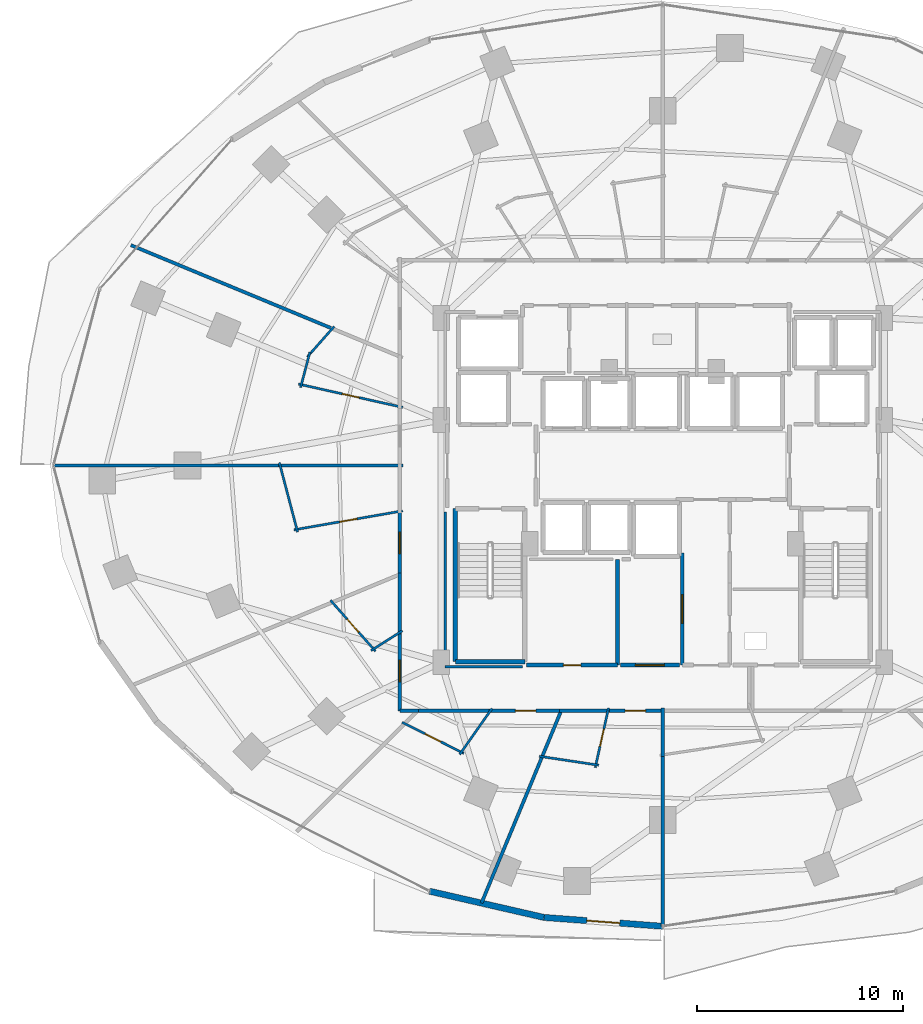
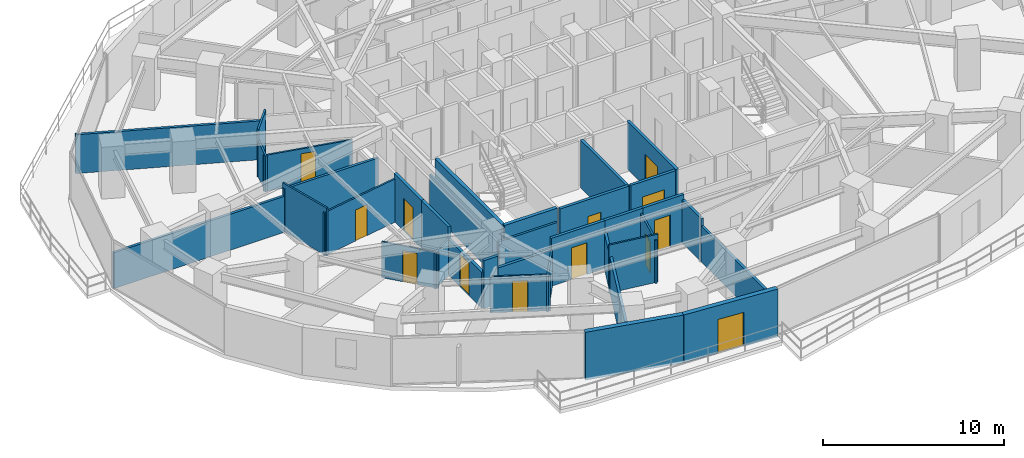
# One storey, part 27 of 36: 35 walls, 13 doors, 13 openings.
"""IFC4 building model written with IfcOpenShell, lengths in metres."""

import ifcopenshell
import ifcopenshell.guid

model = None  # the IFC model being written
_history = None  # IfcOwnerHistory: only IFC2X3 demands one
_inside = {}  # id of a spatial element -> (the spatial element, [elements in it])
_under = {}  # id of a project, library or spatial element -> (it, [spatial elements below it])
_declared = {}  # id of a project -> (the project, [libraries it declares])
_typed = {}  # id of a type object -> (the type object, [elements of that type])
_made_of = {}  # id of a material, layer set ... -> (it, [elements and type objects made of it])


def new_model(schema):
    """Start an empty IFC model of exactly this schema.

    Asked for "IFC4X3", IfcOpenShell would pick the latest addendum, in which some entities
    have other attributes; the version numbers below select the first issue.
    IFC2X3 requires an IfcOwnerHistory on every rooted entity: one is made here for all.
    """
    global model, _history
    if schema == "IFC4X3":
        model = ifcopenshell.file(schema_version=(4, 3, 0, 0))
    else:
        model = ifcopenshell.file(schema=schema)
    _inside.clear()
    _under.clear()
    _declared.clear()
    _typed.clear()
    _made_of.clear()
    _history = None
    if model.schema == "IFC2X3":
        org = make("IfcOrganization", Name="unknown")
        user = make(
            "IfcPersonAndOrganization",
            ThePerson=make("IfcPerson", FamilyName="unknown"),
            TheOrganization=org,
        )
        app = make(
            "IfcApplication",
            ApplicationDeveloper=org,
            Version="unknown",
            ApplicationFullName="unknown",
            ApplicationIdentifier="unknown",
        )
        _history = make(
            "IfcOwnerHistory",
            OwningUser=user,
            OwningApplication=app,
            ChangeAction="ADDED",
            CreationDate=0,
        )
    return model


def make(cls, **values):
    """One entity of the class cls with the attributes given. An attribute that is None is left unset."""
    return model.create_entity(
        cls, **{name: value for name, value in values.items() if value is not None}
    )


def rooted(cls, **values):
    """An entity with a GlobalId (a new one), such as an element, a storey or a relation."""
    return make(cls, GlobalId=ifcopenshell.guid.new(), OwnerHistory=_history, **values)


def si_unit(unit_type, name, prefix=None):
    """IfcSIUnit, for example si_unit("LENGTHUNIT", "METRE", prefix="MILLI")."""
    return make("IfcSIUnit", UnitType=unit_type, Prefix=prefix, Name=name)


def assignment(units):
    """IfcUnitAssignment: the units of a project."""
    return None if units is None else make("IfcUnitAssignment", Units=units)


def point(xyz):
    """IfcCartesianPoint."""
    return None if xyz is None else make("IfcCartesianPoint", Coordinates=xyz)


def direction(xyz):
    """IfcDirection."""
    return None if xyz is None else make("IfcDirection", DirectionRatios=xyz)


def frame(location, z_axis=None, x_axis=None):
    """IfcAxis2Placement3D, a coordinate frame: its origin and axes. An axis left out is left unset."""
    return make(
        "IfcAxis2Placement3D",
        Location=point(location),
        Axis=direction(z_axis),
        RefDirection=direction(x_axis),
    )


def frame_2d(location, x_axis=None):
    """IfcAxis2Placement2D, a coordinate frame in the plane: its origin and x axis."""
    return make(
        "IfcAxis2Placement2D", Location=point(location), RefDirection=direction(x_axis)
    )


def origin():
    """The frame at (0, 0, 0) with its axes left unset."""
    return frame((0.0, 0.0, 0.0))


def place(relative_to, where):
    """IfcLocalPlacement: puts the frame where relative to a parent placement (None: the world)."""
    return make(
        "IfcLocalPlacement", PlacementRelTo=relative_to, RelativePlacement=where
    )


def context(
    kind, dimensions, precision=None, world=None, true_north=None, identifier=None
):
    """IfcGeometricRepresentationContext, for example the 3D "Model" context."""
    return make(
        "IfcGeometricRepresentationContext",
        ContextIdentifier=identifier,
        ContextType=kind,
        CoordinateSpaceDimension=dimensions,
        Precision=precision,
        WorldCoordinateSystem=world,
        TrueNorth=true_north,
    )


def subcontext(parent, identifier, kind, view, scale=None):
    """IfcGeometricRepresentationSubContext, for example "Body" below "Model"."""
    return make(
        "IfcGeometricRepresentationSubContext",
        ContextIdentifier=identifier,
        ContextType=kind,
        ParentContext=parent,
        TargetScale=scale,
        TargetView=view,
    )


def project(units=None, contexts=None):
    """IfcProject with its units and contexts."""
    return rooted(
        "IfcProject",
        Name="project",
        RepresentationContexts=contexts,
        UnitsInContext=assignment(units),
    )


def spatial(cls, under=None, at=None, **own):
    """A site, building, storey or space (cls), placed at a placement, below another one or the project."""
    s = rooted(cls, ObjectPlacement=at, **own)
    if under is not None:
        _under.setdefault(under.id(), (under, []))[1].append(s)
    return s


def profile(cls, at=None, kind="AREA", **sizes):
    """A parametric profile (cls). Its sizes go by their IFC names, for example OverallWidth=200.0."""
    return make(cls, ProfileType=kind, Position=at, **sizes)


def rectangle(**sizes):
    """IfcRectangleProfileDef."""
    return profile("IfcRectangleProfileDef", **sizes)


def extrude(swept, where, along, depth):
    """IfcExtrudedAreaSolid: the profile swept, set in the frame where, extruded along a direction by depth."""
    return make(
        "IfcExtrudedAreaSolid",
        SweptArea=swept,
        Position=where,
        ExtrudedDirection=direction(along),
        Depth=depth,
    )


def shape(context_of_items, identifier, shape_type, items):
    """IfcShapeRepresentation: the items that make up one representation, for example the "Body"."""
    return make(
        "IfcShapeRepresentation",
        ContextOfItems=context_of_items,
        RepresentationIdentifier=identifier,
        RepresentationType=shape_type,
        Items=items,
    )


def material(Name=None, Category=None):
    """IfcMaterial."""
    return make("IfcMaterial", Name=Name, Category=Category)


def layer(
    of_material, thickness, ventilated=None, Name=None, Category=None, Priority=None
):
    """IfcMaterialLayer: one layer of a wall or slab, of a material (None: an air gap)."""
    return make(
        "IfcMaterialLayer",
        Material=of_material,
        LayerThickness=thickness,
        IsVentilated=ventilated,
        Name=Name,
        Category=Category,
        Priority=Priority,
    )


def layer_set(layers, Name=None):
    """IfcMaterialLayerSet."""
    return make("IfcMaterialLayerSet", MaterialLayers=layers, LayerSetName=Name)


def made_of(thing, what):
    """Note that an element or type object is made of a material, layer set ...; save() writes the relation."""
    if what is not None:
        _made_of.setdefault(what.id(), (what, []))[1].append(thing)
    return thing


def type_object(cls, material=None, **own):
    """A type object (cls), such as IfcWallType, which elements share."""
    return made_of(rooted(cls, **own), material)


def element(
    cls,
    number,
    at=None,
    inside=None,
    cuts=None,
    type_object=None,
    material=None,
    context=None,
    identifier="Body",
    shape_type=None,
    held_by="IfcProductDefinitionShape",
    body=None,
    shapes=None,
    **own,
):
    """One element of the class cls, such as IfcWall. Its Tag is "e" and its number.

    at: its placement. inside: the storey or other place that contains it. cuts: it is an
    opening in that element (IfcRelVoidsElement). A single representation is given by context,
    identifier, shape_type and body (its items); several are given by shapes. held_by: the class
    of the entity that holds the representations. save() writes the other relations.
    """
    e = rooted(cls, Tag="e%d" % number, ObjectPlacement=at, **own)
    if body is not None:
        shapes = [shape(context, identifier, shape_type, body)]
    if shapes is not None:
        e.Representation = make(held_by, Representations=shapes)
    if inside is not None:
        _inside.setdefault(inside.id(), (inside, []))[1].append(e)
    if cuts is not None:
        rooted(
            "IfcRelVoidsElement", RelatingBuildingElement=cuts, RelatedOpeningElement=e
        )
    if type_object is not None:
        _typed.setdefault(type_object.id(), (type_object, []))[1].append(e)
    return made_of(e, material)


def fill(opening, filler):
    """IfcRelFillsElement: the door or window that sits in an opening."""
    return rooted(
        "IfcRelFillsElement",
        RelatingOpeningElement=opening,
        RelatedBuildingElement=filler,
    )


def aggregate(whole, parts):
    """IfcRelAggregates: a whole, such as a stair, and the parts it consists of."""
    return rooted("IfcRelAggregates", RelatingObject=whole, RelatedObjects=parts)


def save(model, path):
    """Write the relations noted so far, then the file.

    IfcRelAggregates (storeys below a building ...), IfcRelContainedInSpatialStructure (elements
    in a storey), IfcRelDefinesByType, IfcRelAssociatesMaterial and IfcRelDeclares: one each for
    every whole, place, type object, material and project.
    """
    for whole, parts in _under.values():
        aggregate(whole, parts)
    for where, things in _inside.values():
        rooted(
            "IfcRelContainedInSpatialStructure",
            RelatedElements=things,
            RelatingStructure=where,
        )
    for kind, things in _typed.values():
        rooted("IfcRelDefinesByType", RelatedObjects=things, RelatingType=kind)
    for what, things in _made_of.values():
        rooted("IfcRelAssociatesMaterial", RelatedObjects=things, RelatingMaterial=what)
    for by, libraries in _declared.values():
        rooted("IfcRelDeclares", RelatingContext=by, RelatedDefinitions=libraries)
    model.write(path)


model = new_model("IFC4")

# Units and contexts
model_context = context("Model", 3, precision=1e-05, world=origin(), true_north=direction((0.0, 1.0)))
body_context = subcontext(model_context, "Body", "Model", "MODEL_VIEW")
ifc_project = project(units=[si_unit("LENGTHUNIT", "METRE"), si_unit("AREAUNIT", "SQUARE_METRE"), si_unit("VOLUMEUNIT", "CUBIC_METRE"), si_unit("PLANEANGLEUNIT", "RADIAN"), si_unit("MASSUNIT", "GRAM", prefix="KILO")], contexts=[model_context])

# Site, building, storey
site_placement = place(None, origin())
site = spatial("IfcSite", under=ifc_project, at=site_placement, CompositionType="ELEMENT")
building_placement = place(site_placement, origin())
building = spatial("IfcBuilding", under=site, at=building_placement, Name="Vorneva Point Tower", CompositionType="ELEMENT")
storey_placement = place(building_placement, frame((0.0, 0.0, 24.0)))
storey = spatial("IfcBuildingStorey", under=building, at=storey_placement, Name="L05", CompositionType="ELEMENT", Elevation=24.0)

# Wall
ifc_material_1 = material(Name="Precast concrete B50 (C40/50)", Category="concrete")
ifc_layer_1 = layer(ifc_material_1, 0.300048828125)
ifc_layer_set_1 = layer_set([ifc_layer_1], Name="Precast concrete B50 (C40/50)")
wall_type_1 = type_object("IfcWallType", Name="WL-EXT-300", PredefinedType="STANDARD", material=ifc_layer_set_1)
wall_1_placement = place(storey_placement, frame((26.691650390625, 5.351318359375, 0.0), z_axis=(0.0, 0.0, 1.0), x_axis=(0.974671141646, -0.223642942305, 0.0)))
element("IfcWall", 1, at=wall_1_placement, inside=storey, type_object=wall_type_1, Name="L05 Pale-Metal Facade Spandrel Wall 12.1", PredefinedType="STANDARD", context=body_context, shape_type="SweptSolid", body=[
    extrude(rectangle(XDim=5.6875, YDim=0.300048828125, at=frame_2d((2.84375, 0.0))), origin(), (0.0, 0.0, 1.0), 3.239990234375),
])

# Wall, opening, door
wall_2_placement = place(storey_placement, frame((32.235107421875, 4.079345703125, 0.0), z_axis=(0.0, 0.0, 1.0), x_axis=(0.99723690101, -0.074287032943, 0.0)))
wall_2 = element("IfcWall", 2, at=wall_2_placement, inside=storey, type_object=wall_type_1, Name="L05 Pale-Metal Facade Spandrel Wall 12.2", PredefinedType="STANDARD", context=body_context, shape_type="SweptSolid", body=[
    extrude(rectangle(XDim=5.78076171875, YDim=0.300048828125, at=frame_2d((2.890380859375, 0.0))), origin(), (0.0, 0.0, 1.0), 3.239990234375),
])
opening_1_placement = place(wall_2_placement, frame((2.09033203125, 0.0, 0.0)))
opening_1 = element("IfcOpeningElement", 3, at=opening_1_placement, cuts=wall_2, Name="Opening BD-01", PredefinedType="OPENING", context=body_context, shape_type="SweptSolid", body=[
    extrude(rectangle(XDim=1.60009765625, YDim=2.300048828125, at=frame_2d((0.800048828125, 1.14990234375))), frame((0.0, 0.1650390625, 0.0), z_axis=(0.0, -1.0, 0.0), x_axis=(1.0, 0.0, 0.0)), (0.0, 0.0, 1.0), 0.329833984375),
])
ifc_material_2 = material(Name="Pale anodised aluminium", Category="aluminium")
door_type_1 = type_object("IfcDoorType", Name="DR-BAL-1600", OperationType="SLIDING_TO_LEFT", PredefinedType="DOOR", material=ifc_material_2)
door_1_placement = place(opening_1_placement, origin())
door_1 = element("IfcDoor", 4, at=door_1_placement, inside=storey, type_object=door_type_1, Name="L05 Balcony Terrace Access Door 12", OperationType="SLIDING_TO_LEFT", OverallHeight=2.300048828125, OverallWidth=1.60009765625, PredefinedType="DOOR", context=body_context, shape_type="SweptSolid", body=[
    extrude(rectangle(XDim=1.60009765625, YDim=2.300048828125, at=frame_2d((0.800048828125, 1.14990234375))), frame((0.0, 0.02490234375, 0.0), z_axis=(0.0, -1.0, 0.0), x_axis=(1.0, 0.0, 0.0)), (0.0, 0.0, 1.0), 0.050048828125),
])
fill(opening_1, door_1)

ifc_material_3 = material(Name="Fire-rated acoustic gypsum stud partition", Category="gypsum")
ifc_layer_2 = layer(ifc_material_3, 0.110107421875)
ifc_layer_set_2 = layer_set([ifc_layer_2], Name="Fire-rated acoustic gypsum stud partition")
wall_type_2 = type_object("IfcWallType", Name="WL-PART-110", PredefinedType="PARTITIONING", material=ifc_layer_set_2)
wall_3_placement = place(storey_placement, frame((25.38671875, 28.819580078125, 0.0), z_axis=(0.0, 0.0, 1.0), x_axis=(-0.975933395621, 0.218068813248, 0.0)))
wall_3 = element("IfcWall", 5, at=wall_3_placement, inside=storey, type_object=wall_type_2, Name="L05 Interior Partition 088", PredefinedType="PARTITIONING", context=body_context, shape_type="SweptSolid", body=[
    extrude(rectangle(XDim=5.1767578125, YDim=0.110107421875, at=frame_2d((2.58837890625, 0.0))), origin(), (0.0, 0.0, 1.0), 2.431884765625),
])
opening_2_placement = place(wall_3_placement, frame((2.163330078125, 0.0, 0.0)))
opening_2 = element("IfcOpeningElement", 6, at=opening_2_placement, cuts=wall_3, Name="Opening ID-02", PredefinedType="OPENING", context=body_context, shape_type="SweptSolid", body=[
    extrude(rectangle(XDim=0.85009765625, YDim=2.10009765625, at=frame_2d((0.425048828125, 1.050048828125))), frame((0.0, 0.06982421875, 0.0), z_axis=(0.0, -1.0, 0.0), x_axis=(1.0, 0.0, 0.0)), (0.0, 0.0, 1.0), 0.139892578125),
])
ifc_material_4 = material(Name="Engineered oak fire-rated door leaf", Category="wood")
door_type_2 = type_object("IfcDoorType", Name="DR-BATH-850", OperationType="NOTDEFINED", PredefinedType="DOOR", material=ifc_material_4)
door_2_placement = place(opening_2_placement, origin())
door_2 = element("IfcDoor", 7, at=door_2_placement, inside=storey, type_object=door_type_2, Name="L05 Door Executive Suite L05-08 / En-Suite Bathroom L05-08", OperationType="SINGLE_SWING_RIGHT", OverallHeight=2.10009765625, OverallWidth=0.85009765625, PredefinedType="DOOR", context=body_context, shape_type="SweptSolid", body=[
    extrude(rectangle(XDim=0.85009765625, YDim=2.10009765625, at=frame_2d((0.425048828125, 1.050048828125))), frame((0.0, 0.02490234375, 0.0), z_axis=(0.0, -1.0, 0.0), x_axis=(1.0, 0.0, 0.0)), (0.0, 0.0, 1.0), 0.050048828125),
])
fill(opening_2, door_2)

# Walls
wall_4_placement = place(storey_placement, frame((20.435302734375, 29.78271484375, 0.0), z_axis=(0.0, 0.0, 1.0), x_axis=(0.254378671262, 0.967104695267, 0.0)))
element("IfcWall", 8, at=wall_4_placement, inside=storey, type_object=wall_type_2, Name="L05 Interior Partition 089", PredefinedType="PARTITIONING", context=body_context, shape_type="SweptSolid", body=[
    extrude(rectangle(XDim=1.7822265625, YDim=0.110107421875, at=frame_2d((0.89111328125, 0.0))), origin(), (0.0, 0.0, 1.0), 2.431884765625),
])
wall_5_placement = place(storey_placement, frame((20.76025390625, 31.26611328125, 0.0), z_axis=(0.0, 0.0, 1.0), x_axis=(0.662047420969, 0.749461948593, 0.0)))
element("IfcWall", 9, at=wall_5_placement, inside=storey, type_object=wall_type_2, Name="L05 Interior Partition 090", PredefinedType="PARTITIONING", context=body_context, shape_type="SweptSolid", body=[
    extrude(rectangle(XDim=1.9716796875, YDim=0.110107421875, at=frame_2d((0.98583984375, 0.0))), origin(), (0.0, 0.0, 1.0), 3.239990234375),
])
wall_6_placement = place(storey_placement, frame((20.29052734375, 22.767578125, 0.0), z_axis=(0.0, 0.0, 1.0), x_axis=(-0.254476045764, 0.967079077497, 0.0)))
element("IfcWall", 10, at=wall_6_placement, inside=storey, type_object=wall_type_2, Name="L05 Interior Partition 093", PredefinedType="PARTITIONING", context=body_context, shape_type="SweptSolid", body=[
    extrude(rectangle(XDim=3.482666015625, YDim=0.110107421875, at=frame_2d((1.7412109375, 0.0))), origin(), (0.0, 0.0, 1.0), 3.239990234375),
])

# Wall, opening, door
wall_7_placement = place(storey_placement, frame((25.387939453125, 23.799072265625, 0.0), z_axis=(0.0, 0.0, 1.0), x_axis=(-0.985100697644, -0.171978532096, 0.0)))
wall_7 = element("IfcWall", 11, at=wall_7_placement, inside=storey, type_object=wall_type_2, Name="L05 Interior Partition 094", PredefinedType="PARTITIONING", context=body_context, shape_type="SweptSolid", body=[
    extrude(rectangle(XDim=5.3505859375, YDim=0.110107421875, at=frame_2d((2.67529296875, 0.0))), origin(), (0.0, 0.0, 1.0), 2.922119140625),
])
opening_3_placement = place(wall_7_placement, frame((2.250244140625, 0.0, 0.0)))
opening_3 = element("IfcOpeningElement", 12, at=opening_3_placement, cuts=wall_7, Name="Opening ID-02", PredefinedType="OPENING", context=body_context, shape_type="SweptSolid", body=[
    extrude(rectangle(XDim=0.85009765625, YDim=2.10009765625, at=frame_2d((0.425048828125, 1.050048828125))), frame((0.0, 0.06982421875, 0.0), z_axis=(0.0, -1.0, 0.0), x_axis=(1.0, 0.0, 0.0)), (0.0, 0.0, 1.0), 0.139892578125),
])
door_3_placement = place(opening_3_placement, origin())
door_3 = element("IfcDoor", 13, at=door_3_placement, inside=storey, type_object=door_type_2, Name="L05 Door Corner Suite L05-09 / En-Suite Bathroom L05-09", OperationType="SINGLE_SWING_LEFT", OverallHeight=2.10009765625, OverallWidth=0.85009765625, PredefinedType="DOOR", context=body_context, shape_type="SweptSolid", body=[
    extrude(rectangle(XDim=0.85009765625, YDim=2.10009765625, at=frame_2d((0.425048828125, 1.050048828125))), frame((0.0, 0.02490234375, 0.0), z_axis=(0.0, -1.0, 0.0), x_axis=(1.0, 0.0, 0.0)), (0.0, 0.0, 1.0), 0.050048828125),
])
fill(opening_3, door_3)

wall_8_placement = place(storey_placement, frame((24.064697265625, 16.9931640625, 0.0), z_axis=(0.0, 0.0, 1.0), x_axis=(-0.662059609276, 0.749451181709, 0.0)))
wall_8 = element("IfcWall", 14, at=wall_8_placement, inside=storey, type_object=wall_type_2, Name="L05 Interior Partition 096", PredefinedType="PARTITIONING", context=body_context, shape_type="SweptSolid", body=[
    extrude(rectangle(XDim=3.29931640625, YDim=0.110107421875, at=frame_2d((1.649658203125, 0.0))), origin(), (0.0, 0.0, 1.0), 2.431884765625),
])
opening_4_placement = place(wall_8_placement, frame((1.224609375, 0.0, 0.0)))
opening_4 = element("IfcOpeningElement", 15, at=opening_4_placement, cuts=wall_8, Name="Opening ID-02", PredefinedType="OPENING", context=body_context, shape_type="SweptSolid", body=[
    extrude(rectangle(XDim=0.85009765625, YDim=2.10009765625, at=frame_2d((0.425048828125, 1.050048828125))), frame((0.0, 0.06982421875, 0.0), z_axis=(0.0, -1.0, 0.0), x_axis=(1.0, 0.0, 0.0)), (0.0, 0.0, 1.0), 0.139892578125),
])
door_4_placement = place(opening_4_placement, origin())
door_4 = element("IfcDoor", 16, at=door_4_placement, inside=storey, type_object=door_type_2, Name="L05 Door Junior Suite L05-10 / En-Suite Bathroom L05-10", OperationType="SINGLE_SWING_RIGHT", OverallHeight=2.10009765625, OverallWidth=0.85009765625, PredefinedType="DOOR", context=body_context, shape_type="SweptSolid", body=[
    extrude(rectangle(XDim=0.85009765625, YDim=2.10009765625, at=frame_2d((0.425048828125, 1.050048828125))), frame((0.0, 0.02490234375, 0.0), z_axis=(0.0, -1.0, 0.0), x_axis=(1.0, 0.0, 0.0)), (0.0, 0.0, 1.0), 0.050048828125),
])
fill(opening_4, door_4)

# Wall
wall_9_placement = place(storey_placement, frame((25.3681640625, 17.98388671875, 0.0), z_axis=(0.0, 0.0, 1.0), x_axis=(-0.844361394482, -0.535774052665, 0.0)))
element("IfcWall", 17, at=wall_9_placement, inside=storey, type_object=wall_type_2, Name="L05 Interior Partition 097", PredefinedType="PARTITIONING", context=body_context, shape_type="SweptSolid", body=[
    extrude(rectangle(XDim=1.79345703125, YDim=0.110107421875, at=frame_2d((0.896728515625, 0.0))), origin(), (0.0, 0.0, 1.0), 2.431884765625),
])

# Wall, opening, door
wall_10_placement = place(storey_placement, frame((28.35400390625, 12.033935546875, 0.0), z_axis=(0.0, 0.0, 1.0), x_axis=(-0.892556909034, 0.450934767052, 0.0)))
wall_10 = element("IfcWall", 18, at=wall_10_placement, inside=storey, type_object=wall_type_2, Name="L05 Interior Partition 099", PredefinedType="PARTITIONING", context=body_context, shape_type="SweptSolid", body=[
    extrude(rectangle(XDim=3.355712890625, YDim=0.110107421875, at=frame_2d((1.677734375, 0.0))), origin(), (0.0, 0.0, 1.0), 2.431884765625),
])
opening_5_placement = place(wall_10_placement, frame((1.252685546875, 0.0, 0.0)))
opening_5 = element("IfcOpeningElement", 19, at=opening_5_placement, cuts=wall_10, Name="Opening ID-02", PredefinedType="OPENING", context=body_context, shape_type="SweptSolid", body=[
    extrude(rectangle(XDim=0.85009765625, YDim=2.10009765625, at=frame_2d((0.425048828125, 1.050048828125))), frame((0.0, 0.06982421875, 0.0), z_axis=(0.0, -1.0, 0.0), x_axis=(1.0, 0.0, 0.0)), (0.0, 0.0, 1.0), 0.139892578125),
])
door_5_placement = place(opening_5_placement, origin())
door_5 = element("IfcDoor", 20, at=door_5_placement, inside=storey, type_object=door_type_2, Name="L05 Door King Guest Room L05-11 / En-Suite Bathroom L05-11", OperationType="SINGLE_SWING_LEFT", OverallHeight=2.10009765625, OverallWidth=0.85009765625, PredefinedType="DOOR", context=body_context, shape_type="SweptSolid", body=[
    extrude(rectangle(XDim=0.85009765625, YDim=2.10009765625, at=frame_2d((0.425048828125, 1.050048828125))), frame((0.0, 0.02490234375, 0.0), z_axis=(0.0, -1.0, 0.0), x_axis=(1.0, 0.0, 0.0)), (0.0, 0.0, 1.0), 0.050048828125),
])
fill(opening_5, door_5)

# Walls
wall_11_placement = place(storey_placement, frame((29.717529296875, 14.214599609375, 0.0), z_axis=(0.0, 0.0, 1.0), x_axis=(-0.575076641985, -0.81809953908, 0.0)))
element("IfcWall", 21, at=wall_11_placement, inside=storey, type_object=wall_type_2, Name="L05 Interior Partition 100", PredefinedType="PARTITIONING", context=body_context, shape_type="SweptSolid", body=[
    extrude(rectangle(XDim=2.728515625, YDim=0.110107421875, at=frame_2d((1.3642578125, 0.0))), origin(), (0.0, 0.0, 1.0), 2.431884765625),
])
wall_12_placement = place(storey_placement, frame((34.893310546875, 11.463134765625, 0.0), z_axis=(0.0, 0.0, 1.0), x_axis=(-0.988868035357, 0.148795190273, 0.0)))
element("IfcWall", 22, at=wall_12_placement, inside=storey, type_object=wall_type_2, Name="L05 Interior Partition 102", PredefinedType="PARTITIONING", context=body_context, shape_type="SweptSolid", body=[
    extrude(rectangle(XDim=2.9140625, YDim=0.110107421875, at=frame_2d((1.45703125, 0.0))), origin(), (0.0, 0.0, 1.0), 3.239990234375),
])

# Wall, opening, door
wall_13_placement = place(storey_placement, frame((35.37060546875, 14.236572265625, 0.0), z_axis=(0.0, 0.0, 1.0), x_axis=(-0.218283637967, -0.975885368983, 0.0)))
wall_13 = element("IfcWall", 23, at=wall_13_placement, inside=storey, type_object=wall_type_2, Name="L05 Interior Partition 103", PredefinedType="PARTITIONING", context=body_context, shape_type="SweptSolid", body=[
    extrude(rectangle(XDim=2.96044921875, YDim=0.110107421875, at=frame_2d((1.480224609375, 0.0))), origin(), (0.0, 0.0, 1.0), 2.922119140625),
])
opening_6_placement = place(wall_13_placement, frame((1.055419921875, 0.0, 0.0)))
opening_6 = element("IfcOpeningElement", 24, at=opening_6_placement, cuts=wall_13, Name="Opening ID-02", PredefinedType="OPENING", context=body_context, shape_type="SweptSolid", body=[
    extrude(rectangle(XDim=0.85009765625, YDim=2.10009765625, at=frame_2d((0.425048828125, 1.050048828125))), frame((0.0, 0.06982421875, 0.0), z_axis=(0.0, -1.0, 0.0), x_axis=(1.0, 0.0, 0.0)), (0.0, 0.0, 1.0), 0.139892578125),
])
door_6_placement = place(opening_6_placement, origin())
door_6 = element("IfcDoor", 25, at=door_6_placement, inside=storey, type_object=door_type_2, Name="L05 Door Twin Guest Room L05-12 / En-Suite Bathroom L05-12", OperationType="SINGLE_SWING_RIGHT", OverallHeight=2.10009765625, OverallWidth=0.85009765625, PredefinedType="DOOR", context=body_context, shape_type="SweptSolid", body=[
    extrude(rectangle(XDim=0.85009765625, YDim=2.10009765625, at=frame_2d((0.425048828125, 1.050048828125))), frame((0.0, 0.02490234375, 0.0), z_axis=(0.0, -1.0, 0.0), x_axis=(1.0, 0.0, 0.0)), (0.0, 0.0, 1.0), 0.050048828125),
])
fill(opening_6, door_6)

# Walls
ifc_layer_3 = layer(ifc_material_3, 0.139892578125)
ifc_layer_set_3 = layer_set([ifc_layer_3], Name="Fire-rated acoustic gypsum stud partition")
wall_type_3 = type_object("IfcWallType", Name="WL-PART-140", PredefinedType="PARTITIONING", material=ifc_layer_set_3)
wall_14_placement = place(storey_placement, frame((31.195068359375, 16.239990234375, 0.0), z_axis=(0.0, 0.0, 1.0), x_axis=(-1.0, 0.0, 0.0)))
element("IfcWall", 26, at=wall_14_placement, inside=storey, type_object=wall_type_3, Name="L05 Interior Closure Partition 123", PredefinedType="PARTITIONING", context=body_context, shape_type="SweptSolid", body=[
    extrude(rectangle(XDim=3.7451171875, YDim=0.139892578125, at=frame_2d((1.87255859375, 0.0))), origin(), (0.0, 0.0, 1.0), 2.431884765625),
])
wall_15_placement = place(storey_placement, frame((27.449951171875, 16.239990234375, 0.0), z_axis=(0.0, 0.0, 1.0), x_axis=(0.0, 1.0, 0.0)))
element("IfcWall", 27, at=wall_15_placement, inside=storey, type_object=wall_type_3, Name="L05 Interior Closure Partition 124", PredefinedType="PARTITIONING", context=body_context, shape_type="SweptSolid", body=[
    extrude(rectangle(XDim=7.513916015625, YDim=0.139892578125, at=frame_2d((3.7568359375, 0.0))), origin(), (0.0, 0.0, 1.0), 2.431884765625),
])
ifc_layer_4 = layer(ifc_material_3, 0.159912109375)
ifc_layer_set_4 = layer_set([ifc_layer_4], Name="Fire-rated acoustic gypsum stud partition")
wall_type_4 = type_object("IfcWallType", Name="WL-PART-160", PredefinedType="PARTITIONING", material=ifc_layer_set_4)
wall_16_placement = place(storey_placement, frame((12.20703125, 36.68408203125, 0.0), z_axis=(0.0, 0.0, 1.0), x_axis=(0.923876032578, -0.382691881842, 0.0)))
element("IfcWall", 28, at=wall_16_placement, inside=storey, type_object=wall_type_4, Name="L05 Interior Partition 086", PredefinedType="PARTITIONING", context=body_context, shape_type="SweptSolid", body=[
    extrude(rectangle(XDim=10.63037109375, YDim=0.159912109375, at=frame_2d((5.315185546875, 0.0))), origin(), (0.0, 0.0, 1.0), 2.6240234375),
])
wall_17_placement = place(storey_placement, frame((8.450927734375, 26.0, 0.0), z_axis=(0.0, 0.0, 1.0), x_axis=(1.0, 0.0, 0.0)))
element("IfcWall", 29, at=wall_17_placement, inside=storey, type_object=wall_type_4, Name="L05 Interior Partition 091", PredefinedType="PARTITIONING", context=body_context, shape_type="SweptSolid", body=[
    extrude(rectangle(XDim=11.051025390625, YDim=0.159912109375, at=frame_2d((5.525390625, 0.0))), origin(), (0.0, 0.0, 1.0), 2.431884765625),
])
wall_18_placement = place(storey_placement, frame((19.362060546875, 26.0, 0.0), z_axis=(0.0, 0.0, 1.0), x_axis=(1.0, 0.0, 0.0)))
element("IfcWall", 30, at=wall_18_placement, inside=storey, type_object=wall_type_4, Name="L05 Interior Partition 092", PredefinedType="PARTITIONING", context=body_context, shape_type="SweptSolid", body=[
    extrude(rectangle(XDim=6.02783203125, YDim=0.159912109375, at=frame_2d((3.013916015625, 0.0))), origin(), (0.0, 0.0, 1.0), 2.922119140625),
])
wall_19_placement = place(storey_placement, frame((29.2080078125, 4.77490234375, 0.0), z_axis=(0.0, 0.0, 1.0), x_axis=(0.382718503749, 0.923865004689, 0.0)))
element("IfcWall", 31, at=wall_19_placement, inside=storey, type_object=wall_type_4, Name="L05 Interior Partition 101", PredefinedType="PARTITIONING", context=body_context, shape_type="SweptSolid", body=[
    extrude(rectangle(XDim=10.09375, YDim=0.159912109375, at=frame_2d((5.046875, 0.0))), origin(), (0.0, 0.0, 1.0), 2.431884765625),
])
wall_20_placement = place(storey_placement, frame((38.0, 3.64990234375, 0.0), z_axis=(0.0, 0.0, 1.0), x_axis=(0.0, 1.0, 0.0)))
element("IfcWall", 32, at=wall_20_placement, inside=storey, type_object=wall_type_4, Name="L05 Interior Partition 104", PredefinedType="PARTITIONING", context=body_context, shape_type="SweptSolid", body=[
    extrude(rectangle(XDim=8.375, YDim=0.159912109375, at=frame_2d((4.1875, 0.0))), origin(), (0.0, 0.0, 1.0), 2.431884765625),
])
wall_21_placement = place(storey_placement, frame((38.0, 11.885009765625, 0.0), z_axis=(0.0, 0.0, 1.0), x_axis=(0.0, 1.0, 0.0)))
element("IfcWall", 33, at=wall_21_placement, inside=storey, type_object=wall_type_4, Name="L05 Interior Partition 105", PredefinedType="PARTITIONING", context=body_context, shape_type="SweptSolid", body=[
    extrude(rectangle(XDim=2.35498046875, YDim=0.159912109375, at=frame_2d((1.177490234375, 0.0))), origin(), (0.0, 0.0, 1.0), 2.922119140625),
])

# Wall, opening, door
ifc_material_5 = material(Name="Autoclaved aerated concrete blockwork", Category="masonry")
ifc_layer_5 = layer(ifc_material_5, 0.179931640625)
ifc_layer_set_5 = layer_set([ifc_layer_5], Name="Autoclaved aerated concrete blockwork")
wall_type_5 = type_object("IfcWallType", Name="WL-PART-180", PredefinedType="PARTITIONING", material=ifc_layer_set_5)
wall_22_placement = place(storey_placement, frame((38.949951171875, 21.7548828125, 0.0), z_axis=(0.0, 0.0, 1.0), x_axis=(0.0, -1.0, 0.0)))
wall_22 = element("IfcWall", 34, at=wall_22_placement, inside=storey, type_object=wall_type_5, Name="L05 Interior Partition 013", PredefinedType="PARTITIONING", context=body_context, shape_type="SweptSolid", body=[
    extrude(rectangle(XDim=5.434814453125, YDim=0.179931640625, at=frame_2d((2.71728515625, 0.0))), origin(), (0.0, 0.0, 1.0), 3.239990234375),
])
opening_7_placement = place(wall_22_placement, frame((2.017578125, 0.0, 0.0)))
opening_7 = element("IfcOpeningElement", 35, at=opening_7_placement, cuts=wall_22, Name="Opening FD-03", PredefinedType="OPENING", context=body_context, shape_type="SweptSolid", body=[
    extrude(rectangle(XDim=1.39990234375, YDim=2.199951171875, at=frame_2d((0.699951171875, 1.10009765625))), frame((0.0, 0.10498046875, 0.0), z_axis=(0.0, -1.0, 0.0), x_axis=(1.0, 0.0, 0.0)), (0.0, 0.0, 1.0), 0.209716796875),
])
ifc_material_6 = material(Name="Fire-rated powder-coated steel", Category="steel")
door_type_3 = type_object("IfcDoorType", Name="DR-PLT-1400", OperationType="DOUBLE_SWING_LEFT", PredefinedType="DOOR", material=ifc_material_6)
door_7_placement = place(opening_7_placement, origin())
door_7 = element("IfcDoor", 36, at=door_7_placement, inside=storey, type_object=door_type_3, Name="L05 Door Core Service Lobby / Telecoms and Data Room", OperationType="DOUBLE_SWING_LEFT", OverallHeight=2.199951171875, OverallWidth=1.39990234375, PredefinedType="DOOR", context=body_context, shape_type="SweptSolid", body=[
    extrude(rectangle(XDim=1.39990234375, YDim=2.199951171875, at=frame_2d((0.699951171875, 1.10009765625))), frame((0.0, 0.02490234375, 0.0), z_axis=(0.0, -1.0, 0.0), x_axis=(1.0, 0.0, 0.0)), (0.0, 0.0, 1.0), 0.050048828125),
])
fill(opening_7, door_7)

# Wall
wall_23_placement = place(storey_placement, frame((35.800048828125, 16.320068359375, 0.0), z_axis=(0.0, 0.0, 1.0), x_axis=(0.0, 1.0, 0.0)))
element("IfcWall", 37, at=wall_23_placement, inside=storey, type_object=wall_type_5, Name="L05 Interior Partition 023", PredefinedType="PARTITIONING", context=body_context, shape_type="SweptSolid", body=[
    extrude(rectangle(XDim=5.1298828125, YDim=0.179931640625, at=frame_2d((2.56494140625, 0.0))), origin(), (0.0, 0.0, 1.0), 3.239990234375),
])

# Wall, opening, door
wall_24_placement = place(storey_placement, frame((31.39990234375, 16.320068359375, 0.0), z_axis=(0.0, 0.0, 1.0), x_axis=(1.0, 0.0, 0.0)))
wall_24 = element("IfcWall", 38, at=wall_24_placement, inside=storey, type_object=wall_type_5, Name="L05 Interior Partition 024", PredefinedType="PARTITIONING", context=body_context, shape_type="SweptSolid", body=[
    extrude(rectangle(XDim=4.400146484375, YDim=0.179931640625, at=frame_2d((2.2001953125, 0.0))), origin(), (0.0, 0.0, 1.0), 3.239990234375),
])
opening_8_placement = place(wall_24_placement, frame((1.77490234375, 0.0, 0.0)))
opening_8 = element("IfcOpeningElement", 39, at=opening_8_placement, cuts=wall_24, Name="Opening ID-02", PredefinedType="OPENING", context=body_context, shape_type="SweptSolid", body=[
    extrude(rectangle(XDim=0.85009765625, YDim=2.10009765625, at=frame_2d((0.425048828125, 1.050048828125))), frame((0.0, 0.10498046875, 0.0), z_axis=(0.0, -1.0, 0.0), x_axis=(1.0, 0.0, 0.0)), (0.0, 0.0, 1.0), 0.209716796875),
])
door_8_placement = place(opening_8_placement, origin())
door_8 = element("IfcDoor", 40, at=door_8_placement, inside=storey, type_object=door_type_2, Name="L05 Door Housekeeping Store / L05 Circulation Corridor", OperationType="SINGLE_SWING_LEFT", OverallHeight=2.10009765625, OverallWidth=0.85009765625, PredefinedType="DOOR", context=body_context, shape_type="SweptSolid", body=[
    extrude(rectangle(XDim=0.85009765625, YDim=2.10009765625, at=frame_2d((0.425048828125, 1.050048828125))), frame((0.0, 0.02490234375, 0.0), z_axis=(0.0, -1.0, 0.0), x_axis=(1.0, 0.0, 0.0)), (0.0, 0.0, 1.0), 0.050048828125),
])
fill(opening_8, door_8)

wall_25_placement = place(storey_placement, frame((35.949951171875, 16.320068359375, 0.0), z_axis=(0.0, 0.0, 1.0), x_axis=(1.0, 0.0, 0.0)))
wall_25 = element("IfcWall", 41, at=wall_25_placement, inside=storey, type_object=wall_type_5, Name="L05 Interior Partition 025", PredefinedType="PARTITIONING", context=body_context, shape_type="SweptSolid", body=[
    extrude(rectangle(XDim=2.85009765625, YDim=0.179931640625, at=frame_2d((1.425048828125, 0.0))), origin(), (0.0, 0.0, 1.0), 3.239990234375),
])
opening_9_placement = place(wall_25_placement, frame((0.72509765625, 0.0, 0.0)))
opening_9 = element("IfcOpeningElement", 42, at=opening_9_placement, cuts=wall_25, Name="Opening FD-03", PredefinedType="OPENING", context=body_context, shape_type="SweptSolid", body=[
    extrude(rectangle(XDim=1.39990234375, YDim=2.199951171875, at=frame_2d((0.699951171875, 1.10009765625))), frame((0.0, 0.10498046875, 0.0), z_axis=(0.0, -1.0, 0.0), x_axis=(1.0, 0.0, 0.0)), (0.0, 0.0, 1.0), 0.209716796875),
])
door_9_placement = place(opening_9_placement, origin())
door_9 = element("IfcDoor", 43, at=door_9_placement, inside=storey, type_object=door_type_3, Name="L05 Door Telecoms and Data Room / L05 Circulation Corridor", OperationType="DOUBLE_SWING_LEFT", OverallHeight=2.199951171875, OverallWidth=1.39990234375, PredefinedType="DOOR", context=body_context, shape_type="SweptSolid", body=[
    extrude(rectangle(XDim=1.39990234375, YDim=2.199951171875, at=frame_2d((0.699951171875, 1.10009765625))), frame((0.0, 0.02490234375, 0.0), z_axis=(0.0, -1.0, 0.0), x_axis=(1.0, 0.0, 0.0)), (0.0, 0.0, 1.0), 0.050048828125),
])
fill(opening_9, door_9)

wall_26_placement = place(storey_placement, frame((25.25, 23.8349609375, 0.0), z_axis=(0.0, 0.0, 1.0), x_axis=(0.0, -1.0, 0.0)))
wall_26 = element("IfcWall", 44, at=wall_26_placement, inside=storey, type_object=wall_type_5, Name="L05 Interior Partition 044", PredefinedType="PARTITIONING", context=body_context, shape_type="SweptSolid", body=[
    extrude(rectangle(XDim=3.180908203125, YDim=0.179931640625, at=frame_2d((1.59033203125, 0.0))), origin(), (0.0, 0.0, 1.0), 3.239990234375),
])
opening_10_placement = place(wall_26_placement, frame((1.0654296875, 0.0, 0.0)))
opening_10 = element("IfcOpeningElement", 45, at=opening_10_placement, cuts=wall_26, Name="Opening UD-02", PredefinedType="OPENING", context=body_context, shape_type="SweptSolid", body=[
    extrude(rectangle(XDim=1.050048828125, YDim=2.199951171875, at=frame_2d((0.52490234375, 1.10009765625))), frame((0.0, 0.10498046875, 0.0), z_axis=(0.0, -1.0, 0.0), x_axis=(1.0, 0.0, 0.0)), (0.0, 0.0, 1.0), 0.209716796875),
])
door_type_4 = type_object("IfcDoorType", Name="DR-SUITE-1050", OperationType="NOTDEFINED", PredefinedType="DOOR", material=ifc_material_4)
door_10_placement = place(opening_10_placement, origin())
door_10 = element("IfcDoor", 46, at=door_10_placement, inside=storey, type_object=door_type_4, Name="L05 Door L05 Circulation Corridor / Corner Suite L05-09", OperationType="SINGLE_SWING_LEFT", OverallHeight=2.199951171875, OverallWidth=1.050048828125, PredefinedType="DOOR", context=body_context, shape_type="SweptSolid", body=[
    extrude(rectangle(XDim=1.050048828125, YDim=2.199951171875, at=frame_2d((0.52490234375, 1.10009765625))), frame((0.0, 0.02490234375, 0.0), z_axis=(0.0, -1.0, 0.0), x_axis=(1.0, 0.0, 0.0)), (0.0, 0.0, 1.0), 0.050048828125),
])
fill(opening_10, door_10)

wall_27_placement = place(storey_placement, frame((25.25, 17.968994140625, 0.0), z_axis=(0.0, 0.0, 1.0), x_axis=(0.0, -1.0, 0.0)))
wall_27 = element("IfcWall", 47, at=wall_27_placement, inside=storey, type_object=wall_type_5, Name="L05 Interior Partition 046", PredefinedType="PARTITIONING", context=body_context, shape_type="SweptSolid", body=[
    extrude(rectangle(XDim=3.868896484375, YDim=0.179931640625, at=frame_2d((1.9345703125, 0.0))), origin(), (0.0, 0.0, 1.0), 2.431884765625),
])
opening_11_placement = place(wall_27_placement, frame((1.409423828125, 0.0, 0.0)))
opening_11 = element("IfcOpeningElement", 48, at=opening_11_placement, cuts=wall_27, Name="Opening UD-02", PredefinedType="OPENING", context=body_context, shape_type="SweptSolid", body=[
    extrude(rectangle(XDim=1.050048828125, YDim=2.199951171875, at=frame_2d((0.52490234375, 1.10009765625))), frame((0.0, 0.10498046875, 0.0), z_axis=(0.0, -1.0, 0.0), x_axis=(1.0, 0.0, 0.0)), (0.0, 0.0, 1.0), 0.209716796875),
])
door_11_placement = place(opening_11_placement, origin())
door_11 = element("IfcDoor", 49, at=door_11_placement, inside=storey, type_object=door_type_4, Name="L05 Door L05 Circulation Corridor / Junior Suite L05-10", OperationType="SINGLE_SWING_RIGHT", OverallHeight=2.199951171875, OverallWidth=1.050048828125, PredefinedType="DOOR", context=body_context, shape_type="SweptSolid", body=[
    extrude(rectangle(XDim=1.050048828125, YDim=2.199951171875, at=frame_2d((0.52490234375, 1.10009765625))), frame((0.0, 0.02490234375, 0.0), z_axis=(0.0, -1.0, 0.0), x_axis=(1.0, 0.0, 0.0)), (0.0, 0.0, 1.0), 0.050048828125),
])
fill(opening_11, door_11)

# Walls
wall_28_placement = place(storey_placement, frame((25.25, 14.10009765625, 0.0), z_axis=(0.0, 0.0, 1.0), x_axis=(1.0, 0.0, 0.0)))
element("IfcWall", 50, at=wall_28_placement, inside=storey, type_object=wall_type_5, Name="L05 Interior Partition 047", PredefinedType="PARTITIONING", context=body_context, shape_type="SweptSolid", body=[
    extrude(rectangle(XDim=0.909912109375, YDim=0.179931640625, at=frame_2d((0.455078125, 0.0))), origin(), (0.0, 0.0, 1.0), 3.239990234375),
])
wall_29_placement = place(storey_placement, frame((25.25, 20.7939453125, 0.0), z_axis=(0.0, 0.0, 1.0), x_axis=(0.0, -1.0, 0.0)))
element("IfcWall", 51, at=wall_29_placement, inside=storey, type_object=wall_type_5, Name="L05 Interior Partition 048", PredefinedType="PARTITIONING", context=body_context, shape_type="SweptSolid", body=[
    extrude(rectangle(XDim=2.96484375, YDim=0.179931640625, at=frame_2d((1.482421875, 0.0))), origin(), (0.0, 0.0, 1.0), 3.239990234375),
])

# Wall, opening, door
wall_30_placement = place(storey_placement, frame((29.56396484375, 14.10009765625, 0.0), z_axis=(0.0, 0.0, 1.0), x_axis=(1.0, 0.0, 0.0)))
wall_30 = element("IfcWall", 52, at=wall_30_placement, inside=storey, type_object=wall_type_5, Name="L05 Interior Partition 049", PredefinedType="PARTITIONING", context=body_context, shape_type="SweptSolid", body=[
    extrude(rectangle(XDim=3.567138671875, YDim=0.179931640625, at=frame_2d((1.78369140625, 0.0))), origin(), (0.0, 0.0, 1.0), 3.239990234375),
])
opening_12_placement = place(wall_30_placement, frame((1.283447265625, 0.0, 0.0)))
opening_12 = element("IfcOpeningElement", 53, at=opening_12_placement, cuts=wall_30, Name="Opening UD-01", PredefinedType="OPENING", context=body_context, shape_type="SweptSolid", body=[
    extrude(rectangle(XDim=1.0, YDim=2.14990234375, at=frame_2d((0.5, 1.074951171875))), frame((0.0, 0.10498046875, 0.0), z_axis=(0.0, -1.0, 0.0), x_axis=(1.0, 0.0, 0.0)), (0.0, 0.0, 1.0), 0.209716796875),
])
door_type_5 = type_object("IfcDoorType", Name="DR-UNIT-1000", OperationType="NOTDEFINED", PredefinedType="DOOR", material=ifc_material_4)
door_12_placement = place(opening_12_placement, origin())
door_12 = element("IfcDoor", 54, at=door_12_placement, inside=storey, type_object=door_type_5, Name="L05 Door L05 Circulation Corridor / King Guest Room L05-11", OperationType="SINGLE_SWING_LEFT", OverallHeight=2.14990234375, OverallWidth=1.0, PredefinedType="DOOR", context=body_context, shape_type="SweptSolid", body=[
    extrude(rectangle(XDim=1.0, YDim=2.14990234375, at=frame_2d((0.5, 1.074951171875))), frame((0.0, 0.02490234375, 0.0), z_axis=(0.0, -1.0, 0.0), x_axis=(1.0, 0.0, 0.0)), (0.0, 0.0, 1.0), 0.050048828125),
])
fill(opening_12, door_12)

# Wall
wall_31_placement = place(storey_placement, frame((26.02001953125, 14.10009765625, 0.0), z_axis=(0.0, 0.0, 1.0), x_axis=(1.0, 0.0, 0.0)))
element("IfcWall", 55, at=wall_31_placement, inside=storey, type_object=wall_type_5, Name="L05 Interior Partition 050", PredefinedType="PARTITIONING", context=body_context, shape_type="SweptSolid", body=[
    extrude(rectangle(XDim=3.68408203125, YDim=0.179931640625, at=frame_2d((1.842041015625, 0.0))), origin(), (0.0, 0.0, 1.0), 2.431884765625),
])

# Wall, opening, door
wall_32_placement = place(storey_placement, frame((35.279052734375, 14.10009765625, 0.0), z_axis=(0.0, 0.0, 1.0), x_axis=(1.0, 0.0, 0.0)))
wall_32 = element("IfcWall", 56, at=wall_32_placement, inside=storey, type_object=wall_type_5, Name="L05 Interior Partition 051", PredefinedType="PARTITIONING", context=body_context, shape_type="SweptSolid", body=[
    extrude(rectangle(XDim=2.781005859375, YDim=0.179931640625, at=frame_2d((1.390625, 0.0))), origin(), (0.0, 0.0, 1.0), 3.239990234375),
])
opening_13_placement = place(wall_32_placement, frame((0.890380859375, 0.0, 0.0)))
opening_13 = element("IfcOpeningElement", 57, at=opening_13_placement, cuts=wall_32, Name="Opening UD-01", PredefinedType="OPENING", context=body_context, shape_type="SweptSolid", body=[
    extrude(rectangle(XDim=1.0, YDim=2.14990234375, at=frame_2d((0.5, 1.074951171875))), frame((0.0, 0.10498046875, 0.0), z_axis=(0.0, -1.0, 0.0), x_axis=(1.0, 0.0, 0.0)), (0.0, 0.0, 1.0), 0.209716796875),
])
door_13_placement = place(opening_13_placement, origin())
door_13 = element("IfcDoor", 58, at=door_13_placement, inside=storey, type_object=door_type_5, Name="L05 Door L05 Circulation Corridor / Twin Guest Room L05-12", OperationType="SINGLE_SWING_RIGHT", OverallHeight=2.14990234375, OverallWidth=1.0, PredefinedType="DOOR", context=body_context, shape_type="SweptSolid", body=[
    extrude(rectangle(XDim=1.0, YDim=2.14990234375, at=frame_2d((0.5, 1.074951171875))), frame((0.0, 0.02490234375, 0.0), z_axis=(0.0, -1.0, 0.0), x_axis=(1.0, 0.0, 0.0)), (0.0, 0.0, 1.0), 0.050048828125),
])
fill(opening_13, door_13)

# Walls
wall_33_placement = place(storey_placement, frame((32.990966796875, 14.10009765625, 0.0), z_axis=(0.0, 0.0, 1.0), x_axis=(1.0, 0.0, 0.0)))
element("IfcWall", 59, at=wall_33_placement, inside=storey, type_object=wall_type_5, Name="L05 Interior Partition 052", PredefinedType="PARTITIONING", context=body_context, shape_type="SweptSolid", body=[
    extrude(rectangle(XDim=2.427978515625, YDim=0.179931640625, at=frame_2d((1.2138671875, 0.0))), origin(), (0.0, 0.0, 1.0), 3.239990234375),
])
ifc_material_7 = material(Name="Concrete B50 (C40/50)", Category="concrete")
ifc_layer_6 = layer(ifc_material_7, 0.219970703125)
ifc_layer_set_6 = layer_set([ifc_layer_6], Name="Concrete B50 (C40/50)")
wall_type_6 = type_object("IfcWallType", Name="WL-SHFT-220", PredefinedType="SOLIDWALL", material=ifc_layer_set_6)
wall_34_placement = place(storey_placement, frame((31.31005859375, 16.489990234375, 0.0), z_axis=(0.0, 0.0, 1.0), x_axis=(-1.0, 0.0, 0.0)))
element("IfcWall", 60, at=wall_34_placement, inside=storey, type_object=wall_type_6, Name="L05 Exit Stair ST1 Shaft Wall far", PredefinedType="SOLIDWALL", context=body_context, shape_type="SweptSolid", body=[
    extrude(rectangle(XDim=3.3701171875, YDim=0.219970703125, at=frame_2d((1.68505859375, 0.0))), origin(), (0.0, 0.0, 1.0), 3.239990234375),
])
wall_35_placement = place(storey_placement, frame((27.93994140625, 16.489990234375, 0.0), z_axis=(0.0, 0.0, 1.0), x_axis=(0.0, 1.0, 0.0)))
element("IfcWall", 61, at=wall_35_placement, inside=storey, type_object=wall_type_6, Name="L05 Exit Stair ST1 Shaft Wall left", PredefinedType="SOLIDWALL", context=body_context, shape_type="SweptSolid", body=[
    extrude(rectangle(XDim=7.419921875, YDim=0.219970703125, at=frame_2d((3.7099609375, 0.0))), origin(), (0.0, 0.0, 1.0), 3.239990234375),
])

save(model, "model.ifc")
